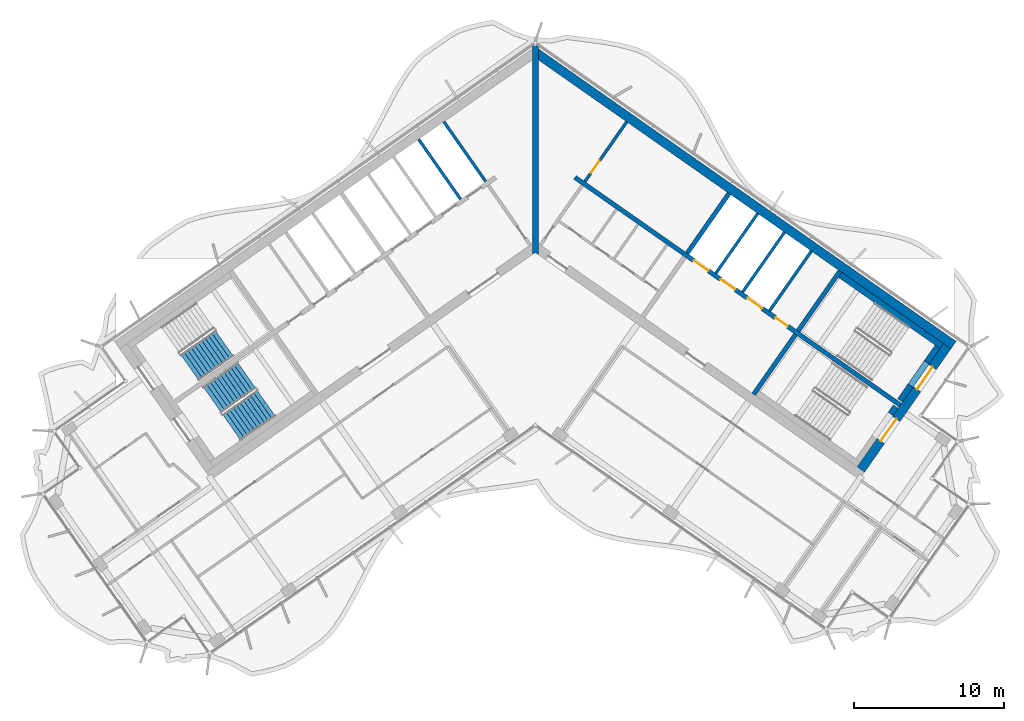
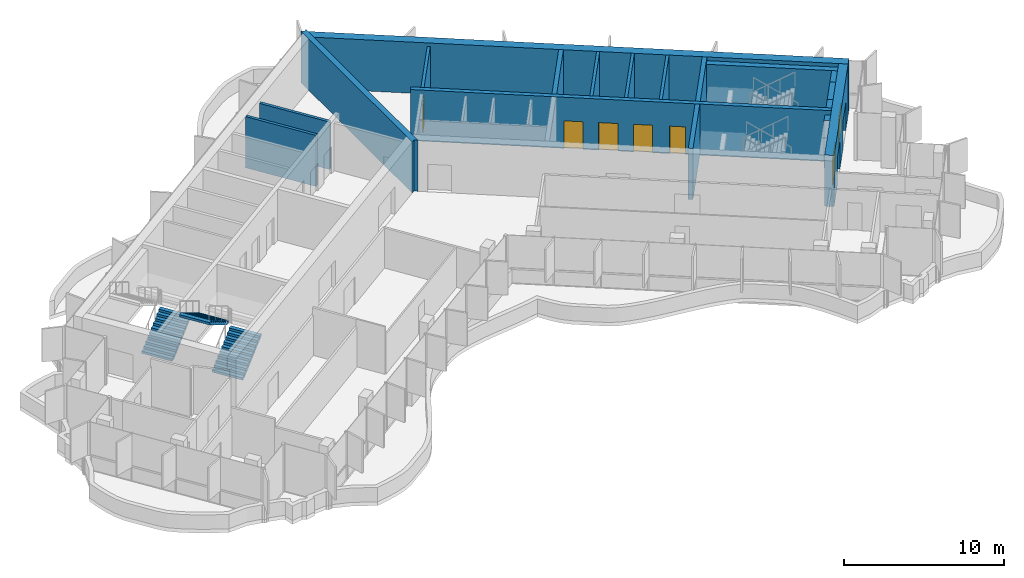
# One storey, part 11 of 17: 18 walls, 7 doors, 3 stair flights, 7 openings, 2 elements without a shape of their own.
"""IFC4 building model written with IfcOpenShell, lengths in metres."""

import ifcopenshell
import ifcopenshell.guid

model = None  # the IFC model being written
_history = None  # IfcOwnerHistory: only IFC2X3 demands one
_inside = {}  # id of a spatial element -> (the spatial element, [elements in it])
_under = {}  # id of a project, library or spatial element -> (it, [spatial elements below it])
_declared = {}  # id of a project -> (the project, [libraries it declares])
_typed = {}  # id of a type object -> (the type object, [elements of that type])
_made_of = {}  # id of a material, layer set ... -> (it, [elements and type objects made of it])


def new_model(schema):
    """Start an empty IFC model of exactly this schema.

    Asked for "IFC4X3", IfcOpenShell would pick the latest addendum, in which some entities
    have other attributes; the version numbers below select the first issue.
    IFC2X3 requires an IfcOwnerHistory on every rooted entity: one is made here for all.
    """
    global model, _history
    if schema == "IFC4X3":
        model = ifcopenshell.file(schema_version=(4, 3, 0, 0))
    else:
        model = ifcopenshell.file(schema=schema)
    _inside.clear()
    _under.clear()
    _declared.clear()
    _typed.clear()
    _made_of.clear()
    _history = None
    if model.schema == "IFC2X3":
        org = make("IfcOrganization", Name="unknown")
        user = make(
            "IfcPersonAndOrganization",
            ThePerson=make("IfcPerson", FamilyName="unknown"),
            TheOrganization=org,
        )
        app = make(
            "IfcApplication",
            ApplicationDeveloper=org,
            Version="unknown",
            ApplicationFullName="unknown",
            ApplicationIdentifier="unknown",
        )
        _history = make(
            "IfcOwnerHistory",
            OwningUser=user,
            OwningApplication=app,
            ChangeAction="ADDED",
            CreationDate=0,
        )
    return model


def make(cls, **values):
    """One entity of the class cls with the attributes given. An attribute that is None is left unset."""
    return model.create_entity(
        cls, **{name: value for name, value in values.items() if value is not None}
    )


def rooted(cls, **values):
    """An entity with a GlobalId (a new one), such as an element, a storey or a relation."""
    return make(cls, GlobalId=ifcopenshell.guid.new(), OwnerHistory=_history, **values)


def si_unit(unit_type, name, prefix=None):
    """IfcSIUnit, for example si_unit("LENGTHUNIT", "METRE", prefix="MILLI")."""
    return make("IfcSIUnit", UnitType=unit_type, Prefix=prefix, Name=name)


def assignment(units):
    """IfcUnitAssignment: the units of a project."""
    return None if units is None else make("IfcUnitAssignment", Units=units)


def point(xyz):
    """IfcCartesianPoint."""
    return None if xyz is None else make("IfcCartesianPoint", Coordinates=xyz)


def direction(xyz):
    """IfcDirection."""
    return None if xyz is None else make("IfcDirection", DirectionRatios=xyz)


def frame(location, z_axis=None, x_axis=None):
    """IfcAxis2Placement3D, a coordinate frame: its origin and axes. An axis left out is left unset."""
    return make(
        "IfcAxis2Placement3D",
        Location=point(location),
        Axis=direction(z_axis),
        RefDirection=direction(x_axis),
    )


def frame_2d(location, x_axis=None):
    """IfcAxis2Placement2D, a coordinate frame in the plane: its origin and x axis."""
    return make(
        "IfcAxis2Placement2D", Location=point(location), RefDirection=direction(x_axis)
    )


def origin():
    """The frame at (0, 0, 0) with its axes left unset."""
    return frame((0.0, 0.0, 0.0))


def place(relative_to, where):
    """IfcLocalPlacement: puts the frame where relative to a parent placement (None: the world)."""
    return make(
        "IfcLocalPlacement", PlacementRelTo=relative_to, RelativePlacement=where
    )


def context(
    kind, dimensions, precision=None, world=None, true_north=None, identifier=None
):
    """IfcGeometricRepresentationContext, for example the 3D "Model" context."""
    return make(
        "IfcGeometricRepresentationContext",
        ContextIdentifier=identifier,
        ContextType=kind,
        CoordinateSpaceDimension=dimensions,
        Precision=precision,
        WorldCoordinateSystem=world,
        TrueNorth=true_north,
    )


def subcontext(parent, identifier, kind, view, scale=None):
    """IfcGeometricRepresentationSubContext, for example "Body" below "Model"."""
    return make(
        "IfcGeometricRepresentationSubContext",
        ContextIdentifier=identifier,
        ContextType=kind,
        ParentContext=parent,
        TargetScale=scale,
        TargetView=view,
    )


def project(units=None, contexts=None):
    """IfcProject with its units and contexts."""
    return rooted(
        "IfcProject",
        Name="project",
        RepresentationContexts=contexts,
        UnitsInContext=assignment(units),
    )


def spatial(cls, under=None, at=None, **own):
    """A site, building, storey or space (cls), placed at a placement, below another one or the project."""
    s = rooted(cls, ObjectPlacement=at, **own)
    if under is not None:
        _under.setdefault(under.id(), (under, []))[1].append(s)
    return s


def polyline(points):
    """IfcPolyline through the points."""
    return make("IfcPolyline", Points=[point(p) for p in points])


def profile(cls, at=None, kind="AREA", **sizes):
    """A parametric profile (cls). Its sizes go by their IFC names, for example OverallWidth=200.0."""
    return make(cls, ProfileType=kind, Position=at, **sizes)


def rectangle(**sizes):
    """IfcRectangleProfileDef."""
    return profile("IfcRectangleProfileDef", **sizes)


def outline(outer, holes=None, kind="AREA"):
    """IfcArbitraryClosedProfileDef: a profile drawn as a closed curve; with holes, ...WithVoids."""
    if holes is None:
        return make("IfcArbitraryClosedProfileDef", ProfileType=kind, OuterCurve=outer)
    return make(
        "IfcArbitraryProfileDefWithVoids",
        ProfileType=kind,
        OuterCurve=outer,
        InnerCurves=holes,
    )


def extrude(swept, where, along, depth):
    """IfcExtrudedAreaSolid: the profile swept, set in the frame where, extruded along a direction by depth."""
    return make(
        "IfcExtrudedAreaSolid",
        SweptArea=swept,
        Position=where,
        ExtrudedDirection=direction(along),
        Depth=depth,
    )


def shape(context_of_items, identifier, shape_type, items):
    """IfcShapeRepresentation: the items that make up one representation, for example the "Body"."""
    return make(
        "IfcShapeRepresentation",
        ContextOfItems=context_of_items,
        RepresentationIdentifier=identifier,
        RepresentationType=shape_type,
        Items=items,
    )


def material(Name=None, Category=None):
    """IfcMaterial."""
    return make("IfcMaterial", Name=Name, Category=Category)


def layer(
    of_material, thickness, ventilated=None, Name=None, Category=None, Priority=None
):
    """IfcMaterialLayer: one layer of a wall or slab, of a material (None: an air gap)."""
    return make(
        "IfcMaterialLayer",
        Material=of_material,
        LayerThickness=thickness,
        IsVentilated=ventilated,
        Name=Name,
        Category=Category,
        Priority=Priority,
    )


def layer_set(layers, Name=None):
    """IfcMaterialLayerSet."""
    return make("IfcMaterialLayerSet", MaterialLayers=layers, LayerSetName=Name)


def made_of(thing, what):
    """Note that an element or type object is made of a material, layer set ...; save() writes the relation."""
    if what is not None:
        _made_of.setdefault(what.id(), (what, []))[1].append(thing)
    return thing


def type_object(cls, material=None, **own):
    """A type object (cls), such as IfcWallType, which elements share."""
    return made_of(rooted(cls, **own), material)


def element(
    cls,
    number,
    at=None,
    inside=None,
    cuts=None,
    type_object=None,
    material=None,
    context=None,
    identifier="Body",
    shape_type=None,
    held_by="IfcProductDefinitionShape",
    body=None,
    shapes=None,
    **own,
):
    """One element of the class cls, such as IfcWall. Its Tag is "e" and its number.

    at: its placement. inside: the storey or other place that contains it. cuts: it is an
    opening in that element (IfcRelVoidsElement). A single representation is given by context,
    identifier, shape_type and body (its items); several are given by shapes. held_by: the class
    of the entity that holds the representations. save() writes the other relations.
    """
    e = rooted(cls, Tag="e%d" % number, ObjectPlacement=at, **own)
    if body is not None:
        shapes = [shape(context, identifier, shape_type, body)]
    if shapes is not None:
        e.Representation = make(held_by, Representations=shapes)
    if inside is not None:
        _inside.setdefault(inside.id(), (inside, []))[1].append(e)
    if cuts is not None:
        rooted(
            "IfcRelVoidsElement", RelatingBuildingElement=cuts, RelatedOpeningElement=e
        )
    if type_object is not None:
        _typed.setdefault(type_object.id(), (type_object, []))[1].append(e)
    return made_of(e, material)


def fill(opening, filler):
    """IfcRelFillsElement: the door or window that sits in an opening."""
    return rooted(
        "IfcRelFillsElement",
        RelatingOpeningElement=opening,
        RelatedBuildingElement=filler,
    )


def aggregate(whole, parts):
    """IfcRelAggregates: a whole, such as a stair, and the parts it consists of."""
    return rooted("IfcRelAggregates", RelatingObject=whole, RelatedObjects=parts)


def save(model, path):
    """Write the relations noted so far, then the file.

    IfcRelAggregates (storeys below a building ...), IfcRelContainedInSpatialStructure (elements
    in a storey), IfcRelDefinesByType, IfcRelAssociatesMaterial and IfcRelDeclares: one each for
    every whole, place, type object, material and project.
    """
    for whole, parts in _under.values():
        aggregate(whole, parts)
    for where, things in _inside.values():
        rooted(
            "IfcRelContainedInSpatialStructure",
            RelatedElements=things,
            RelatingStructure=where,
        )
    for kind, things in _typed.values():
        rooted("IfcRelDefinesByType", RelatedObjects=things, RelatingType=kind)
    for what, things in _made_of.values():
        rooted("IfcRelAssociatesMaterial", RelatedObjects=things, RelatingMaterial=what)
    for by, libraries in _declared.values():
        rooted("IfcRelDeclares", RelatingContext=by, RelatedDefinitions=libraries)
    model.write(path)


model = new_model("IFC4")

# Units and contexts
model_context = context("Model", 3, precision=1e-05, world=origin(), true_north=direction((0.0, 1.0)))
body_context = subcontext(model_context, "Body", "Model", "MODEL_VIEW")
ifc_project = project(units=[si_unit("LENGTHUNIT", "METRE"), si_unit("AREAUNIT", "SQUARE_METRE"), si_unit("VOLUMEUNIT", "CUBIC_METRE"), si_unit("PLANEANGLEUNIT", "RADIAN"), si_unit("MASSUNIT", "GRAM", prefix="KILO")], contexts=[model_context])

# Site, building, storey
site_placement = place(None, origin())
site = spatial("IfcSite", under=ifc_project, at=site_placement, CompositionType="ELEMENT")
building_placement = place(site_placement, origin())
building = spatial("IfcBuilding", under=site, at=building_placement, Name="Tel Ilan Convention Tower", CompositionType="ELEMENT")
storey_placement = place(building_placement, frame((0.0, 0.0, 287.800048828125)))
storey = spatial("IfcBuildingStorey", under=building, at=storey_placement, Name="L68", CompositionType="ELEMENT", Elevation=287.800048828125)

# Wall
ifc_material_1 = material(Name="Concrete C30/37", Category="concrete")
ifc_layer_1 = layer(ifc_material_1, 0.199951171875)
ifc_layer_set_1 = layer_set([ifc_layer_1], Name="Core Service Room Wall 200 mm C30/37")
wall_type_1 = type_object("IfcWallType", Name="Core Service Room Wall 200 mm C30/37", PredefinedType="SOLIDWALL", material=ifc_layer_set_1)
wall_1_placement = place(storey_placement, frame((-3.2978515625, 3.489501953125, 0.0), z_axis=(0.0, 0.0, 1.0), x_axis=(-0.573560315113, 0.819163332265, 0.0)))
element("IfcWall", 1, at=wall_1_placement, inside=storey, type_object=wall_type_1, Name="L68 core wall apex-W-b", PredefinedType="SOLIDWALL", context=body_context, shape_type="SweptSolid", body=[
    extrude(rectangle(XDim=4.849853515625, YDim=0.199951171875, at=frame_2d((2.4248046875, 0.0))), origin(), (0.0, 0.0, 1.0), 3.619873046875),
])

# Wall, opening, door
wall_2_placement = place(storey_placement, frame((3.2978515625, 3.489501953125, 0.0), z_axis=(0.0, 0.0, 1.0), x_axis=(0.573560315113, 0.819163332265, 0.0)))
wall_2 = element("IfcWall", 2, at=wall_2_placement, inside=storey, type_object=wall_type_1, Name="L68 core wall apex-E-b", PredefinedType="SOLIDWALL", context=body_context, shape_type="SweptSolid", body=[
    extrude(rectangle(XDim=4.849853515625, YDim=0.199951171875, at=frame_2d((2.4248046875, 0.0))), origin(), (0.0, 0.0, 1.0), 3.619873046875),
])
opening_1_placement = place(wall_2_placement, frame((0.699951171875, 0.0, 0.0)))
opening_1 = element("IfcOpeningElement", 3, at=opening_1_placement, cuts=wall_2, Name="Opening CD5103", PredefinedType="OPENING", context=body_context, shape_type="SweptSolid", body=[
    extrude(rectangle(XDim=1.0, YDim=2.10009765625, at=frame_2d((0.5, 1.050048828125))), frame((0.0, 0.10986328125, 0.0), z_axis=(0.0, -1.0, 0.0), x_axis=(1.0, 0.0, 0.0)), (0.0, 0.0, 1.0), 0.219970703125),
])
ifc_material_2 = material(Name="Galvanised Steel Door Leaf", Category="steel")
door_type_1 = type_object("IfcDoorType", Name="Service Room Door 1000 x 2100 FD60", OperationType="NOTDEFINED", PredefinedType="DOOR", material=ifc_material_2)
door_1_placement = place(opening_1_placement, origin())
door_1 = element("IfcDoor", 4, at=door_1_placement, inside=storey, type_object=door_type_1, Name="Plant Room door", OperationType="SINGLE_SWING_RIGHT", OverallHeight=2.10009765625, OverallWidth=1.0, PredefinedType="DOOR", context=body_context, shape_type="SweptSolid", body=[
    extrude(rectangle(XDim=1.0, YDim=2.10009765625, at=frame_2d((0.5, 1.050048828125))), frame((0.0, 0.02490234375, 0.0), z_axis=(0.0, -1.0, 0.0), x_axis=(1.0, 0.0, 0.0)), (0.0, 0.0, 1.0), 0.050048828125),
])
fill(opening_1, door_1)

# Walls
ifc_material_3 = material(Name="Concrete C40/50", Category="concrete")
ifc_layer_2 = layer(ifc_material_3, 0.300048828125)
ifc_layer_set_2 = layer_set([ifc_layer_2], Name="Core Shear Wall 300 mm C40/50")
wall_type_2 = type_object("IfcWallType", Name="Core Shear Wall 300 mm C40/50", PredefinedType="SHEAR", material=ifc_layer_set_2)
wall_3_placement = place(storey_placement, frame((10.096923828125, -1.271240234375, 0.0), z_axis=(0.0, 0.0, 1.0), x_axis=(0.573560315113, 0.819163332265, 0.0)))
element("IfcWall", 5, at=wall_3_placement, inside=storey, type_object=wall_type_2, Name="L68 core wall E-cross1-2", PredefinedType="SHEAR", context=body_context, shape_type="SweptSolid", body=[
    extrude(outline(polyline([(4.849853515625, -0.150146484375), (4.849853515625, 0.14990234375), (0.0, 0.150146484375), (0.0, -0.14990234375), (4.849853515625, -0.150146484375)])), origin(), (0.0, 0.0, 1.0), 3.89990234375),
])
wall_4_placement = place(storey_placement, frame((14.515380859375, -10.652099609375, 0.0), z_axis=(0.0, 0.0, 1.0), x_axis=(0.573560315113, 0.819163332265, 0.0)))
element("IfcWall", 6, at=wall_4_placement, inside=storey, type_object=wall_type_2, Name="L68 core wall E-cross2-1", PredefinedType="SHEAR", context=body_context, shape_type="SweptSolid", body=[
    extrude(outline(polyline([(0.0, 0.150146484375), (0.0, -0.14990234375), (4.85009765625, -0.14990234375), (4.85009765625, 0.14990234375), (0.0, 0.150146484375)])), origin(), (0.0, 0.0, 1.0), 3.89990234375),
])
wall_5_placement = place(storey_placement, frame((17.46923828125, -6.433349609375, 0.0), z_axis=(0.0, 0.0, 1.0), x_axis=(0.573594092424, 0.81913968109, 0.0)))
element("IfcWall", 7, at=wall_5_placement, inside=storey, type_object=wall_type_2, Name="L68 core wall E-cross2-2", PredefinedType="SHEAR", context=body_context, shape_type="SweptSolid", body=[
    extrude(outline(polyline([(4.849853515625, -0.14990234375), (4.849853515625, 0.150146484375), (0.0, 0.14990234375), (0.0, -0.14990234375), (4.849853515625, -0.14990234375)])), origin(), (0.0, 0.0, 1.0), 3.89990234375),
])

# Wall, openings, doors
wall_6_placement = place(storey_placement, frame((2.638427734375, 3.76806640625, 0.0), z_axis=(0.0, 0.0, 1.0), x_axis=(0.819155014212, -0.573572194837, 0.0)))
wall_6 = element("IfcWall", 8, at=wall_6_placement, inside=storey, type_object=wall_type_2, Name="L68 core wall E-spine", PredefinedType="SHEAR", context=body_context, shape_type="SweptSolid", body=[
    extrude(outline(polyline([(0.0, 0.150146484375), (0.0, -0.14990234375), (26.39990234375, -0.150146484375), (26.39990234375, 0.14990234375), (0.0, 0.150146484375)])), origin(), (0.0, 0.0, 1.0), 3.89990234375),
])
opening_2_placement = place(wall_6_placement, frame((9.637451171875, 0.0, 0.0)))
opening_2 = element("IfcOpeningElement", 9, at=opening_2_placement, cuts=wall_6, Name="Opening LD5101", PredefinedType="OPENING", context=body_context, shape_type="SweptSolid", body=[
    extrude(rectangle(XDim=1.199951171875, YDim=2.10009765625, at=frame_2d((0.60009765625, 1.050048828125))), frame((0.0, 0.159912109375, 0.0), z_axis=(0.0, -1.0, 0.0), x_axis=(1.0, 0.0, 0.0)), (0.0, 0.0, 1.0), 0.320068359375),
])
opening_3_placement = place(wall_6_placement, frame((11.8125, 0.0, 0.0)))
opening_3 = element("IfcOpeningElement", 10, at=opening_3_placement, cuts=wall_6, Name="Opening LD5102", PredefinedType="OPENING", context=body_context, shape_type="SweptSolid", body=[
    extrude(rectangle(XDim=1.199951171875, YDim=2.10009765625, at=frame_2d((0.60009765625, 1.050048828125))), frame((0.0, 0.159912109375, 0.0), z_axis=(0.0, -1.0, 0.0), x_axis=(1.0, 0.0, 0.0)), (0.0, 0.0, 1.0), 0.320068359375),
])
opening_4_placement = place(wall_6_placement, frame((13.987548828125, 0.0, 0.0)))
opening_4 = element("IfcOpeningElement", 11, at=opening_4_placement, cuts=wall_6, Name="Opening LD5103", PredefinedType="OPENING", context=body_context, shape_type="SweptSolid", body=[
    extrude(rectangle(XDim=1.199951171875, YDim=2.10009765625, at=frame_2d((0.60009765625, 1.050048828125))), frame((0.0, 0.159912109375, 0.0), z_axis=(0.0, -1.0, 0.0), x_axis=(1.0, 0.0, 0.0)), (0.0, 0.0, 1.0), 0.320068359375),
])
opening_5_placement = place(wall_6_placement, frame((16.262451171875, 0.0, 0.0)))
opening_5 = element("IfcOpeningElement", 12, at=opening_5_placement, cuts=wall_6, Name="Opening CD5108", PredefinedType="OPENING", context=body_context, shape_type="SweptSolid", body=[
    extrude(rectangle(XDim=1.0, YDim=2.10009765625, at=frame_2d((0.5, 1.050048828125))), frame((0.0, 0.159912109375, 0.0), z_axis=(0.0, -1.0, 0.0), x_axis=(1.0, 0.0, 0.0)), (0.0, 0.0, 1.0), 0.320068359375),
])
ifc_material_4 = material(Name="Stainless Steel Sliding Door Leaf", Category="steel")
door_type_2 = type_object("IfcDoorType", Name="Lift Landing Door 1200 x 2100 FD120", OperationType="NOTDEFINED", PredefinedType="DOOR", material=ifc_material_4)
door_2_placement = place(opening_2_placement, origin())
door_2 = element("IfcDoor", 13, at=door_2_placement, inside=storey, type_object=door_type_2, Name="Lift FL1 landing door", OperationType="SLIDING_TO_LEFT", OverallHeight=2.10009765625, OverallWidth=1.199951171875, PredefinedType="DOOR", context=body_context, shape_type="SweptSolid", body=[
    extrude(rectangle(XDim=1.199951171875, YDim=2.10009765625, at=frame_2d((0.60009765625, 1.050048828125))), frame((0.0, 0.02490234375, 0.0), z_axis=(0.0, -1.0, 0.0), x_axis=(1.0, 0.0, 0.0)), (0.0, 0.0, 1.0), 0.050048828125),
])
fill(opening_2, door_2)
door_3_placement = place(opening_3_placement, origin())
door_3 = element("IfcDoor", 14, at=door_3_placement, inside=storey, type_object=door_type_2, Name="Lift FL2 landing door", OperationType="SLIDING_TO_RIGHT", OverallHeight=2.10009765625, OverallWidth=1.199951171875, PredefinedType="DOOR", context=body_context, shape_type="SweptSolid", body=[
    extrude(rectangle(XDim=1.199951171875, YDim=2.10009765625, at=frame_2d((0.60009765625, 1.050048828125))), frame((0.0, 0.02490234375, 0.0), z_axis=(0.0, -1.0, 0.0), x_axis=(1.0, 0.0, 0.0)), (0.0, 0.0, 1.0), 0.050048828125),
])
fill(opening_3, door_3)
door_4_placement = place(opening_4_placement, origin())
door_4 = element("IfcDoor", 15, at=door_4_placement, inside=storey, type_object=door_type_2, Name="Lift FL3 landing door", OperationType="SLIDING_TO_LEFT", OverallHeight=2.10009765625, OverallWidth=1.199951171875, PredefinedType="DOOR", context=body_context, shape_type="SweptSolid", body=[
    extrude(rectangle(XDim=1.199951171875, YDim=2.10009765625, at=frame_2d((0.60009765625, 1.050048828125))), frame((0.0, 0.02490234375, 0.0), z_axis=(0.0, -1.0, 0.0), x_axis=(1.0, 0.0, 0.0)), (0.0, 0.0, 1.0), 0.050048828125),
])
fill(opening_4, door_4)
door_5_placement = place(opening_5_placement, origin())
door_5 = element("IfcDoor", 16, at=door_5_placement, inside=storey, type_object=door_type_1, Name="Plant Room door", OperationType="SINGLE_SWING_RIGHT", OverallHeight=2.10009765625, OverallWidth=1.0, PredefinedType="DOOR", context=body_context, shape_type="SweptSolid", body=[
    extrude(rectangle(XDim=1.0, YDim=2.10009765625, at=frame_2d((0.5, 1.050048828125))), frame((0.0, 0.02490234375, 0.0), z_axis=(0.0, -1.0, 0.0), x_axis=(1.0, 0.0, 0.0)), (0.0, 0.0, 1.0), 0.050048828125),
])
fill(opening_5, door_5)

# Walls
ifc_material_5 = material(Name="Concrete C40/50", Category="concrete")
ifc_layer_3 = layer(ifc_material_5, 0.39990234375)
ifc_layer_set_3 = layer_set([ifc_layer_3], Name="Core Shear Wall 400 mm C40/50")
wall_type_3 = type_object("IfcWallType", Name="Core Shear Wall 400 mm C40/50", PredefinedType="SHEAR", material=ifc_layer_set_3)
wall_7_placement = place(storey_placement, frame((0.0, -1.36083984375, 0.0), z_axis=(0.0, 0.0, 1.0), x_axis=(0.0, 1.0, 0.0)))
element("IfcWall", 17, at=wall_7_placement, inside=storey, type_object=wall_type_3, Name="L68 core wall K-central", PredefinedType="SHEAR", context=body_context, shape_type="SweptSolid", body=[
    extrude(outline(polyline([(0.14013671875, 0.199951171875), (0.0, 0.199951171875), (0.14013671875, 0.0), (0.0, -0.199951171875), (0.14013671875, -0.199951171875), (1.012451171875, -0.199951171875), (12.940185546875, -0.199951171875), (13.812744140625, -0.199951171875), (13.893310546875, -0.199951171875), (13.933349609375, -0.172119140625), (13.812744140625, 0.0), (13.933349609375, 0.172119140625), (13.893310546875, 0.199951171875), (13.812744140625, 0.199951171875), (12.940185546875, 0.199951171875), (1.012451171875, 0.199951171875), (0.14013671875, 0.199951171875)])), origin(), (0.0, 0.0, 1.0), 3.89990234375),
])
ifc_material_6 = material(Name="Concrete C40/50", Category="concrete")
ifc_layer_4 = layer(ifc_material_6, 0.60009765625)
ifc_layer_set_4 = layer_set([ifc_layer_4], Name="Core Shear Wall 600 mm C40/50")
wall_type_4 = type_object("IfcWallType", Name="Core Shear Wall 600 mm C40/50", PredefinedType="SHEAR", material=ifc_layer_set_4)
wall_8_placement = place(storey_placement, frame((0.02783203125, 12.066162109375, 0.0), z_axis=(0.0, 0.0, 1.0), x_axis=(0.819151382952, -0.573577380837, 0.0)))
element("IfcWall", 18, at=wall_8_placement, inside=storey, type_object=wall_type_4, Name="L68 core wall E-back", PredefinedType="SHEAR", context=body_context, shape_type="SweptSolid", body=[
    extrude(outline(polyline([(33.898193359375, 0.300048828125), (0.0, 0.300048828125), (0.420166015625, -0.300048828125), (33.89794921875, -0.300048828125), (33.898193359375, 0.300048828125)])), origin(), (0.0, 0.0, 1.0), 3.89990234375),
])

# Wall, openings, doors
wall_9_placement = place(storey_placement, frame((21.641845703125, -15.64208984375, 0.0), z_axis=(0.0, 0.0, 1.0), x_axis=(0.573586866468, 0.819144740944, 0.0)))
wall_9 = element("IfcWall", 19, at=wall_9_placement, inside=storey, type_object=wall_type_4, Name="L68 core wall E-end", PredefinedType="SHEAR", context=body_context, shape_type="SweptSolid", body=[
    extrude(outline(polyline([(10.0, 0.300048828125), (0.0, 0.2998046875), (0.0, -0.300048828125), (10.0, -0.300048828125), (10.0, 0.300048828125)])), origin(), (0.0, 0.0, 1.0), 3.89990234375),
])
opening_6_placement = place(wall_9_placement, frame((6.5, 0.0, 0.0)))
opening_6 = element("IfcOpeningElement", 20, at=opening_6_placement, cuts=wall_9, Name="Opening SD5103", PredefinedType="OPENING", context=body_context, shape_type="SweptSolid", body=[
    extrude(rectangle(XDim=1.800048828125, YDim=2.10009765625, at=frame_2d((0.89990234375, 1.050048828125))), frame((0.0, 0.31005859375, 0.0), z_axis=(0.0, -1.0, 0.0), x_axis=(1.0, 0.0, 0.0)), (0.0, 0.0, 1.0), 0.6201171875),
])
opening_7_placement = place(wall_9_placement, frame((2.300048828125, 0.0, 0.0)))
opening_7 = element("IfcOpeningElement", 21, at=opening_7_placement, cuts=wall_9, Name="Opening SD5104", PredefinedType="OPENING", context=body_context, shape_type="SweptSolid", body=[
    extrude(rectangle(XDim=1.800048828125, YDim=2.10009765625, at=frame_2d((0.89990234375, 1.050048828125))), frame((0.0, 0.31005859375, 0.0), z_axis=(0.0, -1.0, 0.0), x_axis=(1.0, 0.0, 0.0)), (0.0, 0.0, 1.0), 0.6201171875),
])
ifc_material_7 = material(Name="Galvanised Steel Door Leaf", Category="steel")
door_type_3 = type_object("IfcDoorType", Name="Stair Fire Door 1800 x 2100 FD60S", OperationType="NOTDEFINED", PredefinedType="DOOR", material=ifc_material_7)
door_6_placement = place(opening_6_placement, origin())
door_6 = element("IfcDoor", 22, at=door_6_placement, inside=storey, type_object=door_type_3, Name="Stair S3 door", OperationType="DOUBLE_DOOR_SINGLE_SWING", OverallHeight=2.10009765625, OverallWidth=1.800048828125, PredefinedType="DOOR", context=body_context, shape_type="SweptSolid", body=[
    extrude(rectangle(XDim=1.800048828125, YDim=2.10009765625, at=frame_2d((0.89990234375, 1.050048828125))), frame((0.0, 0.02490234375, 0.0), z_axis=(0.0, -1.0, 0.0), x_axis=(1.0, 0.0, 0.0)), (0.0, 0.0, 1.0), 0.050048828125),
])
fill(opening_6, door_6)
door_7_placement = place(opening_7_placement, origin())
door_7 = element("IfcDoor", 23, at=door_7_placement, inside=storey, type_object=door_type_3, Name="Stair S4 door", OperationType="DOUBLE_DOOR_SINGLE_SWING", OverallHeight=2.10009765625, OverallWidth=1.800048828125, PredefinedType="DOOR", context=body_context, shape_type="SweptSolid", body=[
    extrude(rectangle(XDim=1.800048828125, YDim=2.10009765625, at=frame_2d((0.89990234375, 1.050048828125))), frame((0.0, 0.02490234375, 0.0), z_axis=(0.0, -1.0, 0.0), x_axis=(1.0, 0.0, 0.0)), (0.0, 0.0, 1.0), 0.050048828125),
])
fill(opening_7, door_7)

# Walls
ifc_material_8 = material(Name="Concrete C30/37", Category="concrete")
ifc_layer_5 = layer(ifc_material_8, 0.199951171875)
ifc_layer_set_5 = layer_set([ifc_layer_5], Name="Lift Shaft Wall 200 mm C30/37")
wall_type_5 = type_object("IfcWallType", Name="Lift Shaft Wall 200 mm C30/37", PredefinedType="SOLIDWALL", material=ifc_layer_set_5)
wall_10_placement = place(storey_placement, frame((-4.966796875, 2.32080078125, 0.0), z_axis=(0.0, 0.0, 1.0), x_axis=(-0.573594092424, 0.81913968109, 0.0)))
element("IfcWall", 24, at=wall_10_placement, inside=storey, type_object=wall_type_5, Name="L68 core wall bank-W1-p0", PredefinedType="SOLIDWALL", context=body_context, shape_type="SweptSolid", body=[
    extrude(rectangle(XDim=4.85009765625, YDim=0.199951171875, at=frame_2d((2.425048828125, 0.0))), origin(), (0.0, 0.0, 1.0), 3.89990234375),
])
wall_11_placement = place(storey_placement, frame((12.00146484375, -2.604736328125, 0.0), z_axis=(0.0, 0.0, 1.0), x_axis=(0.573560315113, 0.819163332265, 0.0)))
element("IfcWall", 25, at=wall_11_placement, inside=storey, type_object=wall_type_5, Name="L68 core wall bank-E2-p0", PredefinedType="SOLIDWALL", context=body_context, shape_type="SweptSolid", body=[
    extrude(rectangle(XDim=4.849853515625, YDim=0.199951171875, at=frame_2d((2.4248046875, 0.0))), origin(), (0.0, 0.0, 1.0), 3.89990234375),
])
wall_12_placement = place(storey_placement, frame((13.782958984375, -3.852294921875, 0.0), z_axis=(0.0, 0.0, 1.0), x_axis=(0.573594092424, 0.81913968109, 0.0)))
element("IfcWall", 26, at=wall_12_placement, inside=storey, type_object=wall_type_5, Name="L68 core wall bank-E2-p1", PredefinedType="SOLIDWALL", context=body_context, shape_type="SweptSolid", body=[
    extrude(rectangle(XDim=4.85009765625, YDim=0.199951171875, at=frame_2d((2.425048828125, 0.0))), origin(), (0.0, 0.0, 1.0), 3.89990234375),
])
wall_13_placement = place(storey_placement, frame((15.564697265625, -5.099853515625, 0.0), z_axis=(0.0, 0.0, 1.0), x_axis=(0.573560315113, 0.819163332265, 0.0)))
element("IfcWall", 27, at=wall_13_placement, inside=storey, type_object=wall_type_5, Name="L68 core wall bank-E2-p2", PredefinedType="SOLIDWALL", context=body_context, shape_type="SweptSolid", body=[
    extrude(rectangle(XDim=4.849853515625, YDim=0.199951171875, at=frame_2d((2.4248046875, 0.0))), origin(), (0.0, 0.0, 1.0), 3.89990234375),
])
ifc_material_9 = material(Name="Concrete C30/37", Category="concrete")
ifc_layer_6 = layer(ifc_material_9, 0.39990234375)
ifc_layer_set_6 = layer_set([ifc_layer_6], Name="Stair and Shaft Lining Wall 400 mm C30/37")
wall_type_6 = type_object("IfcWallType", Name="Stair and Shaft Lining Wall 400 mm C30/37", PredefinedType="SOLIDWALL", material=ifc_layer_set_6)
wall_14_placement = place(storey_placement, frame((20.25927734375, -2.71044921875, 0.0), z_axis=(0.0, 0.0, 1.0), x_axis=(0.81914849389, -0.573581506813, 0.0)))
element("IfcWall", 28, at=wall_14_placement, inside=storey, type_object=wall_type_6, Name="L68 core wall lining-S3-t1", PredefinedType="SOLIDWALL", context=body_context, shape_type="SweptSolid", body=[
    extrude(rectangle(XDim=8.249755859375, YDim=0.39990234375, at=frame_2d((4.125, 0.0))), origin(), (0.0, 0.0, 1.0), 3.619873046875),
])
wall_15_placement = place(storey_placement, frame((24.24365234375, -11.0546875, 0.0), z_axis=(0.0, 0.0, 1.0), x_axis=(0.573571582932, 0.819155442668, 0.0)))
element("IfcWall", 29, at=wall_15_placement, inside=storey, type_object=wall_type_6, Name="L68 core wall lining-S3-u1-0", PredefinedType="SOLIDWALL", context=body_context, shape_type="SweptSolid", body=[
    extrude(rectangle(XDim=1.199951171875, YDim=0.39990234375, at=frame_2d((0.60009765625, 0.0))), origin(), (0.0, 0.0, 1.0), 3.619873046875),
])
wall_16_placement = place(storey_placement, frame((26.021728515625, -8.515380859375, 0.0), z_axis=(0.0, 0.0, 1.0), x_axis=(0.573619628835, 0.819121798889, 0.0)))
element("IfcWall", 30, at=wall_16_placement, inside=storey, type_object=wall_type_6, Name="L68 core wall lining-S3-u1-1", PredefinedType="SOLIDWALL", context=body_context, shape_type="SweptSolid", body=[
    extrude(rectangle(XDim=1.25, YDim=0.39990234375, at=frame_2d((0.625, 0.0))), origin(), (0.0, 0.0, 1.0), 3.619873046875),
])
wall_17_placement = place(storey_placement, frame((24.931884765625, -10.07177734375, 2.14990234375), z_axis=(0.0, 0.0, 1.0), x_axis=(0.573591692345, 0.819141361715, 0.0)))
element("IfcWall", 31, at=wall_17_placement, inside=storey, type_object=wall_type_6, Name="L68 core wall lining-S3-u1-lintel", PredefinedType="SOLIDWALL", context=body_context, shape_type="SweptSolid", body=[
    extrude(rectangle(XDim=1.900146484375, YDim=0.39990234375, at=frame_2d((0.9501953125, 0.0))), origin(), (0.0, 0.0, 1.0), 1.469970703125),
])
wall_18_placement = place(storey_placement, frame((23.61279296875, -11.955810546875, 0.0), z_axis=(0.0, 0.0, 1.0), x_axis=(0.573435029941, 0.819251039936, 0.0)))
element("IfcWall", 32, at=wall_18_placement, inside=storey, type_object=wall_type_6, Name="L68 core wall lining-S4-u1-1", PredefinedType="SOLIDWALL", context=body_context, shape_type="SweptSolid", body=[
    extrude(rectangle(XDim=0.599853515625, YDim=0.39990234375, at=frame_2d((0.2998046875, 0.0))), origin(), (0.0, 0.0, 1.0), 3.619873046875),
])

# Stair, stair flight
ifc_material_10 = material(Name="Concrete C40/50", Category="concrete")
stair_type = type_object("IfcStairType", Name="Pressurised Exit Stair 22 risers 177 mm", PredefinedType="HALF_TURN_STAIR", material=ifc_material_10)
stair_1_placement = place(storey_placement, origin())
stair_1 = element("IfcStair", 33, at=stair_1_placement, inside=storey, type_object=stair_type, Name="L68 Pressurised Stair S1", PredefinedType="HALF_TURN_STAIR")
ifc_material_11 = material(Name="Precast Concrete C40/50", Category="concrete")
stair_flight_type = type_object("IfcStairFlightType", Name="Concrete Stair Flight 2100 mm 22 risers 177 mm", PredefinedType="STRAIGHT", material=ifc_material_11)
stair_flight_1_placement = place(storey_placement, frame((-22.9619140625, -8.87548828125, 0.0), z_axis=(0.0, 0.0, 1.0), x_axis=(0.819152044289, 0.573576436351, 0.0)))
stair_flight_1 = element("IfcStairFlight", 34, at=stair_flight_1_placement, type_object=stair_flight_type, Name="S1 flight 1", NumberOfRisers=11, NumberOfTreads=10, PredefinedType="STRAIGHT", RiserHeight=0.177272727, TreadLength=0.28, context=body_context, shape_type="SweptSolid", body=[
    extrude(outline(polyline([(0.0, 0.0), (0.0, 0.17724609375), (0.280029296875, 0.17724609375), (0.280029296875, 0.3544921875), (0.56005859375, 0.3544921875), (0.56005859375, 0.53173828125), (0.840087890625, 0.53173828125), (0.840087890625, 0.708984375), (1.1201171875, 0.708984375), (1.1201171875, 0.886474609375), (1.39990234375, 0.886474609375), (1.39990234375, 1.063720703125), (1.679931640625, 1.063720703125), (1.679931640625, 1.240966796875), (1.9599609375, 1.240966796875), (1.9599609375, 1.418212890625), (2.239990234375, 1.418212890625), (2.239990234375, 1.595458984375), (2.52001953125, 1.595458984375), (2.52001953125, 1.772705078125), (2.800048828125, 1.772705078125), (2.800048828125, 1.949951171875), (2.800048828125, 1.59521484375), (0.2802734375, 0.0), (0.0, 0.0)])), frame((0.0, -0.100341796875, 0.0), z_axis=(0.0, -1.0, 0.0), x_axis=(1.0, 0.0, 0.0)), (0.0, 0.0, 1.0), 0.94970703125),
    extrude(outline(polyline([(0.0, 0.0), (0.0, 0.17724609375), (0.280029296875, 0.17724609375), (0.280029296875, 0.3544921875), (0.56005859375, 0.3544921875), (0.56005859375, 0.53173828125), (0.840087890625, 0.53173828125), (0.840087890625, 0.708984375), (1.1201171875, 0.708984375), (1.1201171875, 0.886474609375), (1.39990234375, 0.886474609375), (1.39990234375, 1.063720703125), (1.679931640625, 1.063720703125), (1.679931640625, 1.240966796875), (1.9599609375, 1.240966796875), (1.9599609375, 1.418212890625), (2.239990234375, 1.418212890625), (2.239990234375, 1.595458984375), (2.52001953125, 1.595458984375), (2.52001953125, 1.772705078125), (2.800048828125, 1.772705078125), (2.800048828125, 1.949951171875), (2.800048828125, 1.59521484375), (0.2802734375, 0.0), (0.0, 0.0)])), frame((0.0, -0.000244140625, 0.0), z_axis=(0.0, -1.0, 0.0), x_axis=(1.0, 0.0, 0.0)), (0.0, 0.0, 1.0), 0.099609375),
    extrude(outline(polyline([(0.0, 0.0), (0.0, 0.17724609375), (0.280029296875, 0.17724609375), (0.280029296875, 0.3544921875), (0.56005859375, 0.3544921875), (0.56005859375, 0.53173828125), (0.840087890625, 0.53173828125), (0.840087890625, 0.708984375), (1.1201171875, 0.708984375), (1.1201171875, 0.886474609375), (1.39990234375, 0.886474609375), (1.39990234375, 1.063720703125), (1.679931640625, 1.063720703125), (1.679931640625, 1.240966796875), (1.9599609375, 1.240966796875), (1.9599609375, 1.418212890625), (2.239990234375, 1.418212890625), (2.239990234375, 1.595458984375), (2.52001953125, 1.595458984375), (2.52001953125, 1.772705078125), (2.800048828125, 1.772705078125), (2.800048828125, 1.949951171875), (2.800048828125, 1.59521484375), (0.2802734375, 0.0), (0.0, 0.0)])), frame((0.0, 0.099853515625, 0.0), z_axis=(0.0, -1.0, 0.0), x_axis=(1.0, 0.0, 0.0)), (0.0, 0.0, 1.0), 0.099609375),
    extrude(outline(polyline([(0.0, 0.0), (0.0, 0.17724609375), (0.280029296875, 0.17724609375), (0.280029296875, 0.3544921875), (0.56005859375, 0.3544921875), (0.56005859375, 0.53173828125), (0.840087890625, 0.53173828125), (0.840087890625, 0.708984375), (1.1201171875, 0.708984375), (1.1201171875, 0.886474609375), (1.39990234375, 0.886474609375), (1.39990234375, 1.063720703125), (1.679931640625, 1.063720703125), (1.679931640625, 1.240966796875), (1.9599609375, 1.240966796875), (1.9599609375, 1.418212890625), (2.239990234375, 1.418212890625), (2.239990234375, 1.595458984375), (2.52001953125, 1.595458984375), (2.52001953125, 1.772705078125), (2.800048828125, 1.772705078125), (2.800048828125, 1.949951171875), (2.800048828125, 1.59521484375), (0.2802734375, 0.0), (0.0, 0.0)])), frame((0.0, 1.050048828125, 0.0), z_axis=(0.0, -1.0, 0.0), x_axis=(1.0, 0.0, 0.0)), (0.0, 0.0, 1.0), 0.94970703125),
])
aggregate(stair_1, [stair_flight_1])

# Stair, stair flights
stair_2_placement = place(storey_placement, origin())
stair_2 = element("IfcStair", 35, at=stair_2_placement, inside=storey, type_object=stair_type, Name="L68 Pressurised Stair S2", PredefinedType="HALF_TURN_STAIR")
stair_flight_2_placement = place(storey_placement, frame((-20.179931640625, -12.848388671875, 0.0), z_axis=(0.0, 0.0, 1.0), x_axis=(0.819152044289, 0.573576436351, 0.0)))
stair_flight_2 = element("IfcStairFlight", 36, at=stair_flight_2_placement, type_object=stair_flight_type, Name="S2 flight 1", NumberOfRisers=11, NumberOfTreads=10, PredefinedType="STRAIGHT", RiserHeight=0.177272727, TreadLength=0.28, context=body_context, shape_type="SweptSolid", body=[
    extrude(outline(polyline([(0.0, 0.0), (0.0, 0.17724609375), (0.280029296875, 0.17724609375), (0.280029296875, 0.3544921875), (0.56005859375, 0.3544921875), (0.56005859375, 0.53173828125), (0.840087890625, 0.53173828125), (0.840087890625, 0.708984375), (1.1201171875, 0.708984375), (1.1201171875, 0.886474609375), (1.39990234375, 0.886474609375), (1.39990234375, 1.063720703125), (1.679931640625, 1.063720703125), (1.679931640625, 1.240966796875), (1.9599609375, 1.240966796875), (1.9599609375, 1.418212890625), (2.239990234375, 1.418212890625), (2.239990234375, 1.595458984375), (2.52001953125, 1.595458984375), (2.52001953125, 1.772705078125), (2.800048828125, 1.772705078125), (2.800048828125, 1.949951171875), (2.800048828125, 1.59521484375), (0.2802734375, 0.0), (0.0, 0.0)])), frame((0.0, -0.100341796875, 0.0), z_axis=(0.0, -1.0, 0.0), x_axis=(1.0, 0.0, 0.0)), (0.0, 0.0, 1.0), 0.94970703125),
    extrude(outline(polyline([(0.0, 0.0), (0.0, 0.17724609375), (0.280029296875, 0.17724609375), (0.280029296875, 0.3544921875), (0.56005859375, 0.3544921875), (0.56005859375, 0.53173828125), (0.840087890625, 0.53173828125), (0.840087890625, 0.708984375), (1.1201171875, 0.708984375), (1.1201171875, 0.886474609375), (1.39990234375, 0.886474609375), (1.39990234375, 1.063720703125), (1.679931640625, 1.063720703125), (1.679931640625, 1.240966796875), (1.9599609375, 1.240966796875), (1.9599609375, 1.418212890625), (2.239990234375, 1.418212890625), (2.239990234375, 1.595458984375), (2.52001953125, 1.595458984375), (2.52001953125, 1.772705078125), (2.800048828125, 1.772705078125), (2.800048828125, 1.949951171875), (2.800048828125, 1.59521484375), (0.2802734375, 0.0), (0.0, 0.0)])), frame((0.0, -0.000244140625, 0.0), z_axis=(0.0, -1.0, 0.0), x_axis=(1.0, 0.0, 0.0)), (0.0, 0.0, 1.0), 0.099609375),
    extrude(outline(polyline([(0.0, 0.0), (0.0, 0.17724609375), (0.280029296875, 0.17724609375), (0.280029296875, 0.3544921875), (0.56005859375, 0.3544921875), (0.56005859375, 0.53173828125), (0.840087890625, 0.53173828125), (0.840087890625, 0.708984375), (1.1201171875, 0.708984375), (1.1201171875, 0.886474609375), (1.39990234375, 0.886474609375), (1.39990234375, 1.063720703125), (1.679931640625, 1.063720703125), (1.679931640625, 1.240966796875), (1.9599609375, 1.240966796875), (1.9599609375, 1.418212890625), (2.239990234375, 1.418212890625), (2.239990234375, 1.595458984375), (2.52001953125, 1.595458984375), (2.52001953125, 1.772705078125), (2.800048828125, 1.772705078125), (2.800048828125, 1.949951171875), (2.800048828125, 1.59521484375), (0.2802734375, 0.0), (0.0, 0.0)])), frame((0.0, 0.099853515625, 0.0), z_axis=(0.0, -1.0, 0.0), x_axis=(1.0, 0.0, 0.0)), (0.0, 0.0, 1.0), 0.099609375),
    extrude(outline(polyline([(0.0, 0.0), (0.0, 0.17724609375), (0.280029296875, 0.17724609375), (0.280029296875, 0.3544921875), (0.56005859375, 0.3544921875), (0.56005859375, 0.53173828125), (0.840087890625, 0.53173828125), (0.840087890625, 0.708984375), (1.1201171875, 0.708984375), (1.1201171875, 0.886474609375), (1.39990234375, 0.886474609375), (1.39990234375, 1.063720703125), (1.679931640625, 1.063720703125), (1.679931640625, 1.240966796875), (1.9599609375, 1.240966796875), (1.9599609375, 1.418212890625), (2.239990234375, 1.418212890625), (2.239990234375, 1.595458984375), (2.52001953125, 1.595458984375), (2.52001953125, 1.772705078125), (2.800048828125, 1.772705078125), (2.800048828125, 1.949951171875), (2.800048828125, 1.59521484375), (0.2802734375, 0.0), (0.0, 0.0)])), frame((0.0, 1.050048828125, 0.0), z_axis=(0.0, -1.0, 0.0), x_axis=(1.0, 0.0, 0.0)), (0.0, 0.0, 1.0), 0.94970703125),
])
stair_flight_3_placement = place(storey_placement, frame((-19.177001953125, -9.399169921875, 1.949951171875), z_axis=(0.0, 0.0, 1.0), x_axis=(-0.819152044289, -0.573576436351, 0.0)))
stair_flight_3 = element("IfcStairFlight", 37, at=stair_flight_3_placement, type_object=stair_flight_type, Name="S2 flight 2", NumberOfRisers=11, NumberOfTreads=10, PredefinedType="STRAIGHT", RiserHeight=0.177272727, TreadLength=0.28, context=body_context, shape_type="SweptSolid", body=[
    extrude(outline(polyline([(0.0, 0.0), (0.0, 0.17724609375), (0.280029296875, 0.17724609375), (0.280029296875, 0.3544921875), (0.56005859375, 0.3544921875), (0.56005859375, 0.53173828125), (0.840087890625, 0.53173828125), (0.840087890625, 0.708984375), (1.1201171875, 0.708984375), (1.1201171875, 0.886474609375), (1.39990234375, 0.886474609375), (1.39990234375, 1.063720703125), (1.679931640625, 1.063720703125), (1.679931640625, 1.240966796875), (1.9599609375, 1.240966796875), (1.9599609375, 1.418212890625), (2.239990234375, 1.418212890625), (2.239990234375, 1.595458984375), (2.52001953125, 1.595458984375), (2.52001953125, 1.772705078125), (2.800048828125, 1.772705078125), (2.800048828125, 1.949951171875), (2.800048828125, 1.59521484375), (0.2802734375, 0.0), (0.0, 0.0)])), frame((0.0, -0.100341796875, 0.0), z_axis=(0.0, -1.0, 0.0), x_axis=(1.0, 0.0, 0.0)), (0.0, 0.0, 1.0), 0.94970703125),
    extrude(outline(polyline([(0.0, 0.0), (0.0, 0.17724609375), (0.280029296875, 0.17724609375), (0.280029296875, 0.3544921875), (0.56005859375, 0.3544921875), (0.56005859375, 0.53173828125), (0.840087890625, 0.53173828125), (0.840087890625, 0.708984375), (1.1201171875, 0.708984375), (1.1201171875, 0.886474609375), (1.39990234375, 0.886474609375), (1.39990234375, 1.063720703125), (1.679931640625, 1.063720703125), (1.679931640625, 1.240966796875), (1.9599609375, 1.240966796875), (1.9599609375, 1.418212890625), (2.239990234375, 1.418212890625), (2.239990234375, 1.595458984375), (2.52001953125, 1.595458984375), (2.52001953125, 1.772705078125), (2.800048828125, 1.772705078125), (2.800048828125, 1.949951171875), (2.800048828125, 1.59521484375), (0.2802734375, 0.0), (0.0, 0.0)])), frame((0.0, -0.000244140625, 0.0), z_axis=(0.0, -1.0, 0.0), x_axis=(1.0, 0.0, 0.0)), (0.0, 0.0, 1.0), 0.099609375),
    extrude(outline(polyline([(0.0, 0.0), (0.0, 0.17724609375), (0.280029296875, 0.17724609375), (0.280029296875, 0.3544921875), (0.56005859375, 0.3544921875), (0.56005859375, 0.53173828125), (0.840087890625, 0.53173828125), (0.840087890625, 0.708984375), (1.1201171875, 0.708984375), (1.1201171875, 0.886474609375), (1.39990234375, 0.886474609375), (1.39990234375, 1.063720703125), (1.679931640625, 1.063720703125), (1.679931640625, 1.240966796875), (1.9599609375, 1.240966796875), (1.9599609375, 1.418212890625), (2.239990234375, 1.418212890625), (2.239990234375, 1.595458984375), (2.52001953125, 1.595458984375), (2.52001953125, 1.772705078125), (2.800048828125, 1.772705078125), (2.800048828125, 1.949951171875), (2.800048828125, 1.59521484375), (0.2802734375, 0.0), (0.0, 0.0)])), frame((0.0, 0.099853515625, 0.0), z_axis=(0.0, -1.0, 0.0), x_axis=(1.0, 0.0, 0.0)), (0.0, 0.0, 1.0), 0.099609375),
    extrude(outline(polyline([(0.0, 0.0), (0.0, 0.17724609375), (0.280029296875, 0.17724609375), (0.280029296875, 0.3544921875), (0.56005859375, 0.3544921875), (0.56005859375, 0.53173828125), (0.840087890625, 0.53173828125), (0.840087890625, 0.708984375), (1.1201171875, 0.708984375), (1.1201171875, 0.886474609375), (1.39990234375, 0.886474609375), (1.39990234375, 1.063720703125), (1.679931640625, 1.063720703125), (1.679931640625, 1.240966796875), (1.9599609375, 1.240966796875), (1.9599609375, 1.418212890625), (2.239990234375, 1.418212890625), (2.239990234375, 1.595458984375), (2.52001953125, 1.595458984375), (2.52001953125, 1.772705078125), (2.800048828125, 1.772705078125), (2.800048828125, 1.949951171875), (2.800048828125, 1.59521484375), (0.2802734375, 0.0), (0.0, 0.0)])), frame((0.0, 1.050048828125, 0.0), z_axis=(0.0, -1.0, 0.0), x_axis=(1.0, 0.0, 0.0)), (0.0, 0.0, 1.0), 0.94970703125),
])
aggregate(stair_2, [stair_flight_2, stair_flight_3])

save(model, "model.ifc")
